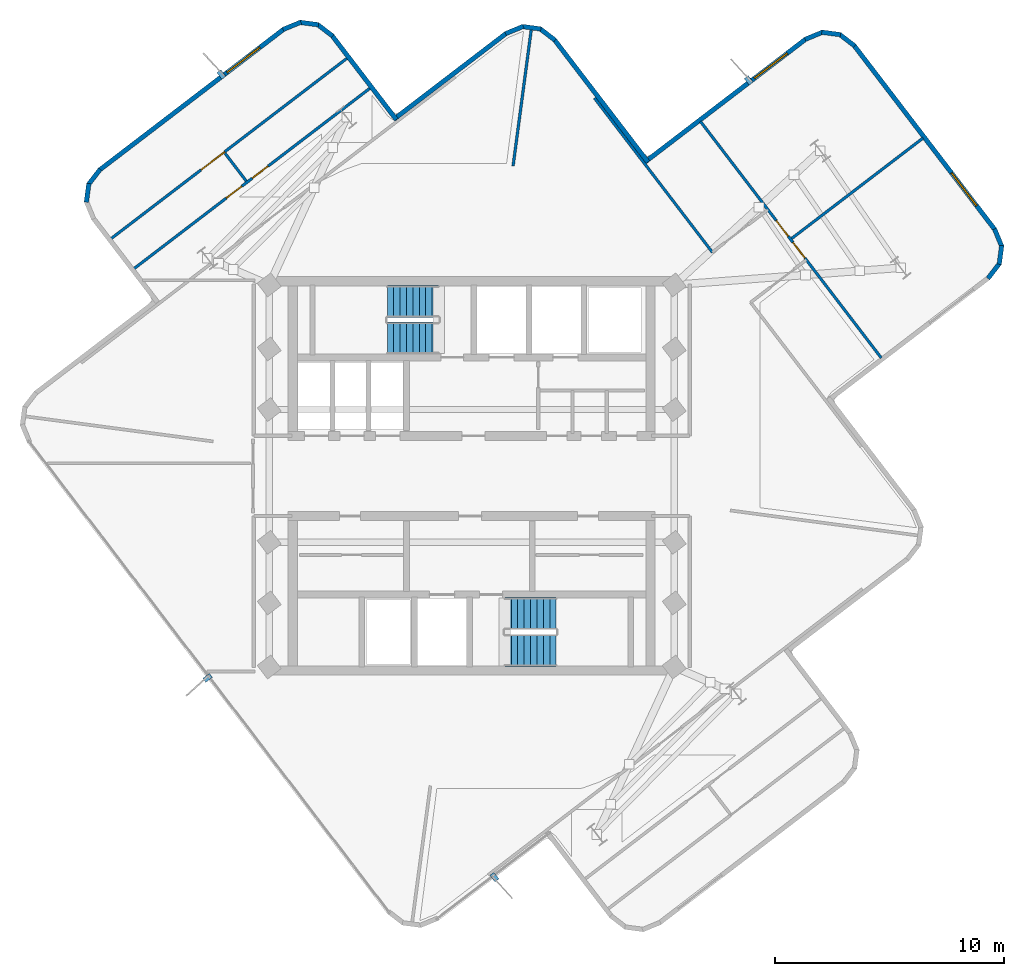
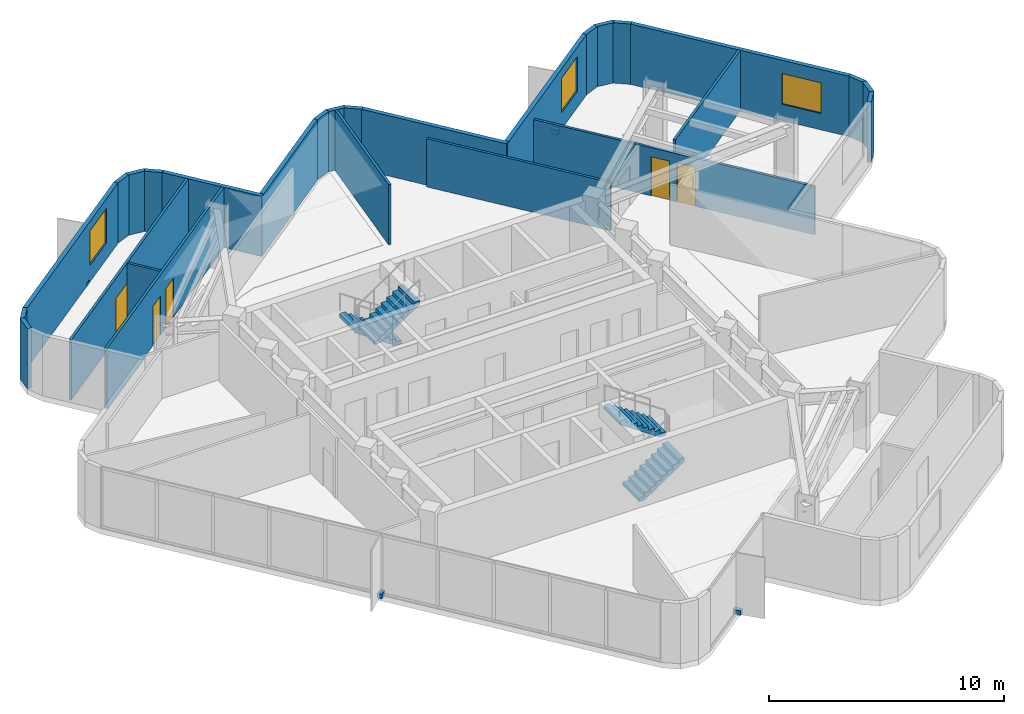
# One storey, part 7 of 9: 27 walls, 5 doors, 4 discrete accessories, 4 stair flights, 3 windows, 8 openings, 2 elements without a shape of their own.
"""IFC4 building model written with IfcOpenShell, lengths in metres."""

from ifc_helpers import new_model, si_unit, direction, frame, frame_2d, origin, origin_2d, place, context, subcontext, project, spatial, polyline, rectangle, outline, extrude, material, layer, layer_set, type_object, element, fill, aggregate, save


model = new_model("IFC4")

# Units and contexts
model_context = context("Model", 3, precision=1e-05, world=origin(), true_north=direction((0.0, 1.0)))
body_context = subcontext(model_context, "Body", "Model", "MODEL_VIEW")
ifc_project = project(units=[si_unit("LENGTHUNIT", "METRE"), si_unit("AREAUNIT", "SQUARE_METRE"), si_unit("VOLUMEUNIT", "CUBIC_METRE"), si_unit("PLANEANGLEUNIT", "RADIAN"), si_unit("MASSUNIT", "GRAM", prefix="KILO")], contexts=[model_context])

# Site, building, storey
site_placement = place(None, origin())
site = spatial("IfcSite", under=ifc_project, at=site_placement, CompositionType="ELEMENT")
building_placement = place(site_placement, origin())
building = spatial("IfcBuilding", under=site, at=building_placement, Name="Solmarez Civic Tower", CompositionType="ELEMENT")
storey_placement = place(building_placement, frame((0.0, 0.0, 229.139892578125)))
storey = spatial("IfcBuildingStorey", under=building, at=storey_placement, Name="L61", CompositionType="ELEMENT", Elevation=229.139892578125)

# Walls
ifc_material_1 = material(Name="Precast concrete C40/50", Category="concrete")
ifc_layer_1 = layer(ifc_material_1, 0.199951171875)
ifc_layer_set_1 = layer_set([ifc_layer_1], Name="Precast concrete C40/50")
wall_type_1 = type_object("IfcWallType", Name="WALL-EXT-200", PredefinedType="SOLIDWALL", material=ifc_layer_set_1)
wall_1_placement = place(storey_placement, frame((-16.840087890625, 11.9609375, 0.0), z_axis=(0.0, 0.0, 1.0), x_axis=(0.131059066172, 0.991374561492, 0.0)))
element("IfcWall", 1, at=wall_1_placement, inside=storey, type_object=wall_type_1, Name="L61 Exterior Precast Wall 15", PredefinedType="SOLIDWALL", context=body_context, shape_type="SweptSolid", body=[
    extrude(rectangle(XDim=0.8251953125, YDim=0.199951171875, at=frame_2d((0.41259765625, 0.0))), origin(), (0.0, 0.0, 1.0), 3.14013671875),
])
wall_2_placement = place(storey_placement, frame((-16.75, 12.73388671875, 0.0), z_axis=(0.0, 0.0, 1.0), x_axis=(0.609837482774, 0.792526494575, 0.0)))
element("IfcWall", 2, at=wall_2_placement, inside=storey, type_object=wall_type_1, Name="L61 Exterior Precast Wall 16", PredefinedType="SOLIDWALL", context=body_context, shape_type="SweptSolid", body=[
    extrude(rectangle(XDim=0.837890625, YDim=0.199951171875, at=frame_2d((0.4189453125, 0.0))), origin(), (0.0, 0.0, 1.0), 3.14013671875),
])

# Wall, opening, window
wall_3_placement = place(storey_placement, frame((-16.27392578125, 13.363037109375, 0.0), z_axis=(0.0, 0.0, 1.0), x_axis=(0.794458044917, 0.607319038781, 0.0)))
wall_3 = element("IfcWall", 3, at=wall_3_placement, inside=storey, type_object=wall_type_1, Name="L61 Exterior Precast Wall 17", PredefinedType="SOLIDWALL", context=body_context, shape_type="SweptSolid", body=[
    extrude(rectangle(XDim=10.1640625, YDim=0.199951171875, at=frame_2d((5.08203125, 0.0))), origin(), (0.0, 0.0, 1.0), 3.14013671875),
])
opening_1_placement = place(wall_3_placement, frame((7.028076171875, 0.0, 0.85009765625)))
opening_1 = element("IfcOpeningElement", 4, at=opening_1_placement, cuts=wall_3, Name="Opening W-08", PredefinedType="OPENING", context=body_context, shape_type="SweptSolid", body=[
    extrude(rectangle(XDim=1.800048828125, YDim=1.800048828125, at=frame_2d((0.89990234375, 0.89990234375))), frame((0.0, 0.10986328125, 0.0), z_axis=(0.0, -1.0, 0.0), x_axis=(1.0, 0.0, 0.0)), (0.0, 0.0, 1.0), 0.219970703125),
])
ifc_material_2 = material(Name="Solar Control Bronze-Tinted Insulating Glass", Category="glass")
window_type_1 = type_object("IfcWindowType", Name="WIN-1800X1800", PartitioningType="SINGLE_PANEL", PredefinedType="WINDOW", material=ifc_material_2)
window_1_placement = place(opening_1_placement, origin())
window_1 = element("IfcWindow", 5, at=window_1_placement, inside=storey, type_object=window_type_1, Name="L61 Exterior Facade Window 17", OverallHeight=1.800048828125, OverallWidth=1.800048828125, PartitioningType="SINGLE_PANEL", PredefinedType="WINDOW", context=body_context, shape_type="SweptSolid", body=[
    extrude(rectangle(XDim=1.800048828125, YDim=1.800048828125, at=frame_2d((0.89990234375, 0.89990234375))), frame((0.0, 0.030029296875, 0.0), z_axis=(0.0, -1.0, 0.0), x_axis=(1.0, 0.0, 0.0)), (0.0, 0.0, 1.0), 0.06005859375),
])
fill(opening_1, window_1)

# Walls
wall_4_placement = place(storey_placement, frame((-8.241943359375, 19.510986328125, 0.0), z_axis=(0.0, 0.0, 1.0), x_axis=(0.924091394431, 0.382171551451, 0.0)))
element("IfcWall", 6, at=wall_4_placement, inside=storey, type_object=wall_type_1, Name="L61 Exterior Precast Wall 18", PredefinedType="SOLIDWALL", context=body_context, shape_type="SweptSolid", body=[
    extrude(rectangle(XDim=0.83740234375, YDim=0.199951171875, at=frame_2d((0.418701171875, 0.0))), origin(), (0.0, 0.0, 1.0), 3.14013671875),
])
wall_5_placement = place(storey_placement, frame((-7.51611328125, 19.823974609375, 0.0), z_axis=(0.0, 0.0, 1.0), x_axis=(0.991412958994, -0.130768286444, 0.0)))
element("IfcWall", 7, at=wall_5_placement, inside=storey, type_object=wall_type_1, Name="L61 Exterior Precast Wall 19", PredefinedType="SOLIDWALL", context=body_context, shape_type="SweptSolid", body=[
    extrude(rectangle(XDim=0.8251953125, YDim=0.199951171875, at=frame_2d((0.41259765625, 0.0))), origin(), (0.0, 0.0, 1.0), 3.14013671875),
])
wall_6_placement = place(storey_placement, frame((-6.742919921875, 19.73388671875, 0.0), z_axis=(0.0, 0.0, 1.0), x_axis=(0.792959338773, -0.609274558022, 0.0)))
element("IfcWall", 8, at=wall_6_placement, inside=storey, type_object=wall_type_1, Name="L61 Exterior Precast Wall 20", PredefinedType="SOLIDWALL", context=body_context, shape_type="SweptSolid", body=[
    extrude(rectangle(XDim=0.838623046875, YDim=0.199951171875, at=frame_2d((0.41943359375, 0.0))), origin(), (0.0, 0.0, 1.0), 3.14013671875),
])
wall_7_placement = place(storey_placement, frame((-6.113037109375, 19.258056640625, 0.0), z_axis=(0.0, 0.0, 1.0), x_axis=(0.607327150699, -0.794451843741, 0.0)))
element("IfcWall", 9, at=wall_7_placement, inside=storey, type_object=wall_type_1, Name="L61 Exterior Precast Wall 21", PredefinedType="SOLIDWALL", context=body_context, shape_type="SweptSolid", body=[
    extrude(rectangle(XDim=4.643310546875, YDim=0.199951171875, at=frame_2d((2.32177734375, 0.0))), origin(), (0.0, 0.0, 1.0), 3.14013671875),
])
wall_8_placement = place(storey_placement, frame((-3.406005859375, 15.583984375, 0.0), z_axis=(0.0, 0.0, 1.0), x_axis=(0.794329901805, 0.60748663121, 0.0)))
element("IfcWall", 10, at=wall_8_placement, inside=storey, type_object=wall_type_1, Name="L61 Exterior Precast Wall 24", PredefinedType="SOLIDWALL", context=body_context, shape_type="SweptSolid", body=[
    extrude(rectangle(XDim=6.20263671875, YDim=0.199951171875, at=frame_2d((3.101318359375, 0.0))), origin(), (0.0, 0.0, 1.0), 3.14013671875),
])
wall_9_placement = place(storey_placement, frame((1.47802734375, 19.326904296875, 0.0), z_axis=(0.0, 0.0, 1.0), x_axis=(0.924091394431, 0.382171551451, 0.0)))
element("IfcWall", 11, at=wall_9_placement, inside=storey, type_object=wall_type_1, Name="L61 Exterior Precast Wall 25", PredefinedType="SOLIDWALL", context=body_context, shape_type="SweptSolid", body=[
    extrude(rectangle(XDim=0.83740234375, YDim=0.199951171875, at=frame_2d((0.418701171875, 0.0))), origin(), (0.0, 0.0, 1.0), 3.14013671875),
])
wall_10_placement = place(storey_placement, frame((2.2041015625, 19.639892578125, 0.0), z_axis=(0.0, 0.0, 1.0), x_axis=(0.99140789753, -0.130806653943, 0.0)))
element("IfcWall", 12, at=wall_10_placement, inside=storey, type_object=wall_type_1, Name="L61 Exterior Precast Wall 26", PredefinedType="SOLIDWALL", context=body_context, shape_type="SweptSolid", body=[
    extrude(rectangle(XDim=0.824951171875, YDim=0.199951171875, at=frame_2d((0.41259765625, 0.0))), origin(), (0.0, 0.0, 1.0), 3.14013671875),
])
wall_11_placement = place(storey_placement, frame((2.97705078125, 19.550048828125, 0.0), z_axis=(0.0, 0.0, 1.0), x_axis=(0.792959338773, -0.609274558022, 0.0)))
element("IfcWall", 13, at=wall_11_placement, inside=storey, type_object=wall_type_1, Name="L61 Exterior Precast Wall 27", PredefinedType="SOLIDWALL", context=body_context, shape_type="SweptSolid", body=[
    extrude(rectangle(XDim=0.838623046875, YDim=0.199951171875, at=frame_2d((0.41943359375, 0.0))), origin(), (0.0, 0.0, 1.0), 3.14013671875),
])
wall_12_placement = place(storey_placement, frame((3.60693359375, 19.073974609375, 0.0), z_axis=(0.0, 0.0, 1.0), x_axis=(0.607308983466, -0.794465731546, 0.0)))
element("IfcWall", 14, at=wall_12_placement, inside=storey, type_object=wall_type_1, Name="L61 Exterior Precast Wall 28", PredefinedType="SOLIDWALL", context=body_context, shape_type="SweptSolid", body=[
    extrude(rectangle(XDim=6.742919921875, YDim=0.199951171875, at=frame_2d((3.37158203125, 0.0))), origin(), (0.0, 0.0, 1.0), 3.14013671875),
])

# Wall, opening, window
wall_13_placement = place(storey_placement, frame((7.589111328125, 13.73193359375, 0.0), z_axis=(0.0, 0.0, 1.0), x_axis=(0.794365670067, 0.607439858932, 0.0)))
wall_13 = element("IfcWall", 15, at=wall_13_placement, inside=storey, type_object=wall_type_1, Name="L61 Exterior Precast Wall 31", PredefinedType="SOLIDWALL", context=body_context, shape_type="SweptSolid", body=[
    extrude(rectangle(XDim=8.84228515625, YDim=0.199951171875, at=frame_2d((4.421142578125, 0.0))), origin(), (0.0, 0.0, 1.0), 3.14013671875),
])
opening_2_placement = place(wall_13_placement, frame((5.9970703125, 0.0, 0.85009765625)))
opening_2 = element("IfcOpeningElement", 16, at=opening_2_placement, cuts=wall_13, Name="Opening W-08", PredefinedType="OPENING", context=body_context, shape_type="SweptSolid", body=[
    extrude(rectangle(XDim=1.800048828125, YDim=1.800048828125, at=frame_2d((0.89990234375, 0.89990234375))), frame((0.0, 0.10986328125, 0.0), z_axis=(0.0, -1.0, 0.0), x_axis=(1.0, 0.0, 0.0)), (0.0, 0.0, 1.0), 0.219970703125),
])
window_2_placement = place(opening_2_placement, origin())
window_2 = element("IfcWindow", 17, at=window_2_placement, inside=storey, type_object=window_type_1, Name="L61 Exterior Facade Window 31", OverallHeight=1.800048828125, OverallWidth=1.800048828125, PartitioningType="SINGLE_PANEL", PredefinedType="WINDOW", context=body_context, shape_type="SweptSolid", body=[
    extrude(rectangle(XDim=1.800048828125, YDim=1.800048828125, at=frame_2d((0.89990234375, 0.89990234375))), frame((0.0, 0.030029296875, 0.0), z_axis=(0.0, -1.0, 0.0), x_axis=(1.0, 0.0, 0.0)), (0.0, 0.0, 1.0), 0.06005859375),
])
fill(opening_2, window_2)

# Walls
wall_14_placement = place(storey_placement, frame((14.570068359375, 19.077880859375, 0.0), z_axis=(0.0, 0.0, 1.0), x_axis=(0.92426142649, 0.38176015442, 0.0)))
element("IfcWall", 18, at=wall_14_placement, inside=storey, type_object=wall_type_1, Name="L61 Exterior Precast Wall 32", PredefinedType="SOLIDWALL", context=body_context, shape_type="SweptSolid", body=[
    extrude(rectangle(XDim=0.83837890625, YDim=0.199951171875, at=frame_2d((0.419189453125, 0.0))), origin(), (0.0, 0.0, 1.0), 3.14013671875),
])
wall_15_placement = place(storey_placement, frame((15.297119140625, 19.39111328125, 0.0), z_axis=(0.0, 0.0, 1.0), x_axis=(0.991369477691, -0.131097516005, 0.0)))
element("IfcWall", 19, at=wall_15_placement, inside=storey, type_object=wall_type_1, Name="L61 Exterior Precast Wall 33", PredefinedType="SOLIDWALL", context=body_context, shape_type="SweptSolid", body=[
    extrude(rectangle(XDim=0.824951171875, YDim=0.199951171875, at=frame_2d((0.41259765625, 0.0))), origin(), (0.0, 0.0, 1.0), 3.14013671875),
])
wall_16_placement = place(storey_placement, frame((16.070068359375, 19.301025390625, 0.0), z_axis=(0.0, 0.0, 1.0), x_axis=(0.792959338773, -0.609274558022, 0.0)))
element("IfcWall", 20, at=wall_16_placement, inside=storey, type_object=wall_type_1, Name="L61 Exterior Precast Wall 34", PredefinedType="SOLIDWALL", context=body_context, shape_type="SweptSolid", body=[
    extrude(rectangle(XDim=0.838623046875, YDim=0.199951171875, at=frame_2d((0.41943359375, 0.0))), origin(), (0.0, 0.0, 1.0), 3.14013671875),
])

# Wall, opening, window
wall_17_placement = place(storey_placement, frame((16.699951171875, 18.824951171875, 0.0), z_axis=(0.0, 0.0, 1.0), x_axis=(0.607273554345, -0.794492813179, 0.0)))
wall_17 = element("IfcWall", 21, at=wall_17_placement, inside=storey, type_object=wall_type_1, Name="L61 Exterior Precast Wall 35", PredefinedType="SOLIDWALL", context=body_context, shape_type="SweptSolid", body=[
    extrude(rectangle(XDim=10.16357421875, YDim=0.199951171875, at=frame_2d((5.081787109375, 0.0))), origin(), (0.0, 0.0, 1.0), 3.14013671875),
])
opening_3_placement = place(wall_17_placement, frame((7.028076171875, 0.0, 0.85009765625)))
opening_3 = element("IfcOpeningElement", 22, at=opening_3_placement, cuts=wall_17, Name="Opening W-12", PredefinedType="OPENING", context=body_context, shape_type="SweptSolid", body=[
    extrude(rectangle(XDim=1.800048828125, YDim=1.60009765625, at=frame_2d((0.89990234375, 0.800048828125))), frame((0.0, 0.10986328125, 0.0), z_axis=(0.0, -1.0, 0.0), x_axis=(1.0, 0.0, 0.0)), (0.0, 0.0, 1.0), 0.219970703125),
])
window_type_2 = type_object("IfcWindowType", Name="WIN-1800X1600", PartitioningType="SINGLE_PANEL", PredefinedType="WINDOW", material=ifc_material_2)
window_3_placement = place(opening_3_placement, origin())
window_3 = element("IfcWindow", 23, at=window_3_placement, inside=storey, type_object=window_type_2, Name="L61 Exterior Facade Window 35", OverallHeight=1.60009765625, OverallWidth=1.800048828125, PartitioningType="SINGLE_PANEL", PredefinedType="WINDOW", context=body_context, shape_type="SweptSolid", body=[
    extrude(rectangle(XDim=1.800048828125, YDim=1.60009765625, at=frame_2d((0.89990234375, 0.800048828125))), frame((0.0, 0.030029296875, 0.0), z_axis=(0.0, -1.0, 0.0), x_axis=(1.0, 0.0, 0.0)), (0.0, 0.0, 1.0), 0.06005859375),
])
fill(opening_3, window_3)

# Walls
wall_18_placement = place(storey_placement, frame((22.846923828125, 10.79296875, 0.0), z_axis=(0.0, 0.0, 1.0), x_axis=(0.383166624649, -0.923679239647, 0.0)))
element("IfcWall", 24, at=wall_18_placement, inside=storey, type_object=wall_type_1, Name="L61 Exterior Precast Wall 36", PredefinedType="SOLIDWALL", context=body_context, shape_type="SweptSolid", body=[
    extrude(rectangle(XDim=0.837890625, YDim=0.199951171875, at=frame_2d((0.4189453125, 0.0))), origin(), (0.0, 0.0, 1.0), 3.14013671875),
])
wall_19_placement = place(storey_placement, frame((23.160888671875, 10.06689453125, 0.0), z_axis=(0.0, 0.0, 1.0), x_axis=(-0.131969898809, -0.991253724234, 0.0)))
element("IfcWall", 25, at=wall_19_placement, inside=storey, type_object=wall_type_1, Name="L61 Exterior Precast Wall 37", PredefinedType="SOLIDWALL", context=body_context, shape_type="SweptSolid", body=[
    extrude(rectangle(XDim=0.8251953125, YDim=0.199951171875, at=frame_2d((0.41259765625, 0.0))), origin(), (0.0, 0.0, 1.0), 3.14013671875),
])
wall_20_placement = place(storey_placement, frame((23.070068359375, 9.2939453125, 0.0), z_axis=(0.0, 0.0, 1.0), x_axis=(-0.609274558022, -0.792959338773, 0.0)))
element("IfcWall", 26, at=wall_20_placement, inside=storey, type_object=wall_type_1, Name="L61 Exterior Precast Wall 38", PredefinedType="SOLIDWALL", context=body_context, shape_type="SweptSolid", body=[
    extrude(rectangle(XDim=0.838623046875, YDim=0.199951171875, at=frame_2d((0.41943359375, 0.0))), origin(), (0.0, 0.0, 1.0), 3.14013671875),
])
ifc_material_3 = material(Name="Gypsum Board Acoustic Steel-Stud Partition", Category="steel")
ifc_layer_2 = layer(ifc_material_3, 0.1201171875)
ifc_layer_set_2 = layer_set([ifc_layer_2], Name="Gypsum Board Acoustic Steel-Stud Partition")
wall_type_2 = type_object("IfcWallType", Name="WALL-INT-PART-120", PredefinedType="PARTITIONING", material=ifc_layer_set_2)
wall_21_placement = place(storey_placement, frame((1.806884765625, 13.5400390625, 0.0), z_axis=(0.0, 0.0, 1.0), x_axis=(0.132245865303, 0.991216944523, 0.0)))
element("IfcWall", 27, at=wall_21_placement, inside=storey, type_object=wall_type_2, Name="L61 Interior Partition PT-L61-QDIV-1", PredefinedType="PARTITIONING", context=body_context, shape_type="SweptSolid", body=[
    extrude(rectangle(XDim=6.034912109375, YDim=0.1201171875, at=frame_2d((3.017578125, 0.0))), origin(), (0.0, 0.0, 1.0), 3.14013671875),
])
wall_22_placement = place(storey_placement, frame((10.52001953125, 9.76806640625, 0.0), z_axis=(0.0, 0.0, 1.0), x_axis=(-0.607441568234, 0.794364362985, 0.0)))
element("IfcWall", 28, at=wall_22_placement, inside=storey, type_object=wall_type_2, Name="L61 Interior Partition PT-L61-E-EFL", PredefinedType="PARTITIONING", context=body_context, shape_type="SweptSolid", body=[
    extrude(rectangle(XDim=8.48974609375, YDim=0.1201171875, at=frame_2d((4.244873046875, 0.0))), origin(), (0.0, 0.0, 1.0), 2.510009765625),
])
wall_23_placement = place(storey_placement, frame((13.98291015625, 10.3759765625, 0.0), z_axis=(0.0, 0.0, 1.0), x_axis=(0.794405792036, 0.607387386747, 0.0)))
element("IfcWall", 29, at=wall_23_placement, inside=storey, type_object=wall_type_2, Name="L61 Interior Partition PT-L61-E-TM", PredefinedType="PARTITIONING", context=body_context, shape_type="SweptSolid", body=[
    extrude(rectangle(XDim=7.224365234375, YDim=0.1201171875, at=frame_2d((3.6123046875, 0.0))), origin(), (0.0, 0.0, 1.0), 3.14013671875),
])

# Wall, openings, doors
wall_24_placement = place(storey_placement, frame((9.99609375, 15.490966796875, 0.0), z_axis=(0.0, 0.0, 1.0), x_axis=(0.607384628916, -0.794407900613, 0.0)))
wall_24 = element("IfcWall", 30, at=wall_24_placement, inside=storey, type_object=wall_type_2, Name="L61 Interior Partition PT-L61-E-END", PredefinedType="PARTITIONING", context=body_context, shape_type="SweptSolid", body=[
    extrude(rectangle(XDim=13.009521484375, YDim=0.1201171875, at=frame_2d((6.5048828125, 0.0))), origin(), (0.0, 0.0, 1.0), 2.510009765625),
])
opening_4_placement = place(wall_24_placement, frame((6.655029296875, 0.0, 0.0)))
opening_4 = element("IfcOpeningElement", 31, at=opening_4_placement, cuts=wall_24, Name="Opening D-14", PredefinedType="OPENING", context=body_context, shape_type="SweptSolid", body=[
    extrude(rectangle(XDim=0.860107421875, YDim=2.0400390625, at=frame_2d((0.43017578125, 1.02001953125))), frame((0.0, 0.070068359375, 0.0), z_axis=(0.0, -1.0, 0.0), x_axis=(1.0, 0.0, 0.0)), (0.0, 0.0, 1.0), 0.14013671875),
])
opening_5_placement = place(wall_24_placement, frame((5.455078125, 0.0, 0.0)))
opening_5 = element("IfcOpeningElement", 32, at=opening_5_placement, cuts=wall_24, Name="Opening D-14", PredefinedType="OPENING", context=body_context, shape_type="SweptSolid", body=[
    extrude(rectangle(XDim=0.860107421875, YDim=2.0400390625, at=frame_2d((0.43017578125, 1.02001953125))), frame((0.0, 0.070068359375, 0.0), z_axis=(0.0, -1.0, 0.0), x_axis=(1.0, 0.0, 0.0)), (0.0, 0.0, 1.0), 0.14013671875),
])
ifc_material_4 = material(Name="Timber Storage and Pantry Door", Category="wood")
door_type_1 = type_object("IfcDoorType", Name="DOOR-INT-850", OperationType="NOTDEFINED", PredefinedType="DOOR", material=ifc_material_4)
door_1_placement = place(opening_4_placement, origin())
door_1 = element("IfcDoor", 33, at=door_1_placement, inside=storey, type_object=door_type_1, Name="L61 Policy Administration Office Sixth East Door", OperationType="SINGLE_SWING_RIGHT", OverallHeight=2.0400390625, OverallWidth=0.860107421875, PredefinedType="DOOR", context=body_context, shape_type="SweptSolid", body=[
    extrude(rectangle(XDim=0.860107421875, YDim=2.0400390625, at=frame_2d((0.43017578125, 1.02001953125))), frame((0.0, 0.02490234375, 0.0), z_axis=(0.0, -1.0, 0.0), x_axis=(1.0, 0.0, 0.0)), (0.0, 0.0, 1.0), 0.050048828125),
])
fill(opening_4, door_1)
door_2_placement = place(opening_5_placement, origin())
door_2 = element("IfcDoor", 34, at=door_2_placement, inside=storey, type_object=door_type_1, Name="L61 Legal Study Room Fifth East Door", OperationType="SINGLE_SWING_LEFT", OverallHeight=2.0400390625, OverallWidth=0.860107421875, PredefinedType="DOOR", context=body_context, shape_type="SweptSolid", body=[
    extrude(rectangle(XDim=0.860107421875, YDim=2.0400390625, at=frame_2d((0.43017578125, 1.02001953125))), frame((0.0, 0.02490234375, 0.0), z_axis=(0.0, -1.0, 0.0), x_axis=(1.0, 0.0, 0.0)), (0.0, 0.0, 1.0), 0.050048828125),
])
fill(opening_5, door_2)

# Wall
wall_25_placement = place(storey_placement, frame((-9.85205078125, 12.885009765625, 0.0), z_axis=(0.0, 0.0, 1.0), x_axis=(-0.607047349334, 0.794665662821, 0.0)))
element("IfcWall", 35, at=wall_25_placement, inside=storey, type_object=wall_type_2, Name="L61 Interior Partition PT-L61-N-MM", PredefinedType="PARTITIONING", context=body_context, shape_type="SweptSolid", body=[
    extrude(rectangle(XDim=1.5302734375, YDim=0.1201171875, at=frame_2d((0.76513671875, 0.0))), origin(), (0.0, 0.0, 1.0), 3.14013671875),
])

# Wall, openings, doors
wall_26_placement = place(storey_placement, frame((-4.43310546875, 16.951904296875, 0.0), z_axis=(0.0, 0.0, 1.0), x_axis=(-0.794407900613, -0.607384628916, 0.0)))
wall_26 = element("IfcWall", 36, at=wall_26_placement, inside=storey, type_object=wall_type_2, Name="L61 Interior Partition PT-L61-N-S1", PredefinedType="PARTITIONING", context=body_context, shape_type="SweptSolid", body=[
    extrude(rectangle(XDim=13.009521484375, YDim=0.1201171875, at=frame_2d((6.5048828125, 0.0))), origin(), (0.0, 0.0, 1.0), 3.14013671875),
])
opening_6_placement = place(wall_26_placement, frame((5.625, 0.0, 0.0)))
opening_6 = element("IfcOpeningElement", 37, at=opening_6_placement, cuts=wall_26, Name="Opening D-14", PredefinedType="OPENING", context=body_context, shape_type="SweptSolid", body=[
    extrude(rectangle(XDim=0.860107421875, YDim=2.0400390625, at=frame_2d((0.43017578125, 1.02001953125))), frame((0.0, 0.070068359375, 0.0), z_axis=(0.0, -1.0, 0.0), x_axis=(1.0, 0.0, 0.0)), (0.0, 0.0, 1.0), 0.14013671875),
])
opening_7_placement = place(wall_26_placement, frame((7.06494140625, 0.0, 0.0)))
opening_7 = element("IfcOpeningElement", 38, at=opening_7_placement, cuts=wall_26, Name="Opening D-14", PredefinedType="OPENING", context=body_context, shape_type="SweptSolid", body=[
    extrude(rectangle(XDim=0.860107421875, YDim=2.0400390625, at=frame_2d((0.43017578125, 1.02001953125))), frame((0.0, 0.070068359375, 0.0), z_axis=(0.0, -1.0, 0.0), x_axis=(1.0, 0.0, 0.0)), (0.0, 0.0, 1.0), 0.14013671875),
])
door_3_placement = place(opening_6_placement, origin())
door_3 = element("IfcDoor", 39, at=door_3_placement, inside=storey, type_object=door_type_1, Name="L61 Policy Administration Office Third North Door", OperationType="SINGLE_SWING_RIGHT", OverallHeight=2.0400390625, OverallWidth=0.860107421875, PredefinedType="DOOR", context=body_context, shape_type="SweptSolid", body=[
    extrude(rectangle(XDim=0.860107421875, YDim=2.0400390625, at=frame_2d((0.43017578125, 1.02001953125))), frame((0.0, 0.02490234375, 0.0), z_axis=(0.0, -1.0, 0.0), x_axis=(1.0, 0.0, 0.0)), (0.0, 0.0, 1.0), 0.050048828125),
])
fill(opening_6, door_3)
door_4_placement = place(opening_7_placement, origin())
door_4 = element("IfcDoor", 40, at=door_4_placement, inside=storey, type_object=door_type_1, Name="L61 Legal Study Room Second North Door", OperationType="SINGLE_SWING_LEFT", OverallHeight=2.0400390625, OverallWidth=0.860107421875, PredefinedType="DOOR", context=body_context, shape_type="SweptSolid", body=[
    extrude(rectangle(XDim=0.860107421875, YDim=2.0400390625, at=frame_2d((0.43017578125, 1.02001953125))), frame((0.0, 0.02490234375, 0.0), z_axis=(0.0, -1.0, 0.0), x_axis=(1.0, 0.0, 0.0)), (0.0, 0.0, 1.0), 0.050048828125),
])
fill(opening_7, door_4)

# Wall, opening, door
wall_27_placement = place(storey_placement, frame((-15.77001953125, 10.361083984375, 0.0), z_axis=(0.0, 0.0, 1.0), x_axis=(0.794407900613, 0.607384628916, 0.0)))
wall_27 = element("IfcWall", 41, at=wall_27_placement, inside=storey, type_object=wall_type_2, Name="L61 Interior Partition PT-L61-N-S2", PredefinedType="PARTITIONING", context=body_context, shape_type="SweptSolid", body=[
    extrude(rectangle(XDim=13.009521484375, YDim=0.1201171875, at=frame_2d((6.5048828125, 0.0))), origin(), (0.0, 0.0, 1.0), 3.14013671875),
])
opening_8_placement = place(wall_27_placement, frame((4.9599609375, 0.0, 0.0)))
opening_8 = element("IfcOpeningElement", 42, at=opening_8_placement, cuts=wall_27, Name="Opening D-15", PredefinedType="OPENING", context=body_context, shape_type="SweptSolid", body=[
    extrude(rectangle(XDim=1.300048828125, YDim=2.10009765625, at=frame_2d((0.64990234375, 1.050048828125))), frame((0.0, 0.070068359375, 0.0), z_axis=(0.0, -1.0, 0.0), x_axis=(1.0, 0.0, 0.0)), (0.0, 0.0, 1.0), 0.14013671875),
])
ifc_material_5 = material(Name="Tribunal Hearing Conference Door", Category="wood")
door_type_2 = type_object("IfcDoorType", Name="DOOR-INT-1300", OperationType="NOTDEFINED", PredefinedType="DOOR", material=ifc_material_5)
door_5_placement = place(opening_8_placement, origin())
door_5 = element("IfcDoor", 43, at=door_5_placement, inside=storey, type_object=door_type_2, Name="L61 Municipal Law Library Fourth North Door", OperationType="SINGLE_SWING_LEFT", OverallHeight=2.10009765625, OverallWidth=1.300048828125, PredefinedType="DOOR", context=body_context, shape_type="SweptSolid", body=[
    extrude(rectangle(XDim=1.300048828125, YDim=2.10009765625, at=frame_2d((0.64990234375, 1.050048828125))), frame((0.0, 0.02490234375, 0.0), z_axis=(0.0, -1.0, 0.0), x_axis=(1.0, 0.0, 0.0)), (0.0, 0.0, 1.0), 0.050048828125),
])
fill(opening_8, door_5)

# Stair, stair flights
ifc_material_6 = material(Name="Concrete C50/60", Category="concrete")
stair_type = type_object("IfcStairType", Name="STAIR-DOGLEG-140W-18R-1900", PredefinedType="HALF_TURN_STAIR", material=ifc_material_6)
stair_1_placement = place(storey_placement, origin())
stair_1 = element("IfcStair", 44, at=stair_1_placement, inside=storey, type_object=stair_type, Name="L61 North Core Protected Exit Stair ST-1", PredefinedType="HALF_TURN_STAIR")
stair_flight_type = type_object("IfcStairFlightType", Name="FLIGHT-DOGLEG-140W-9R-1900", PredefinedType="STRAIGHT", material=ifc_material_6)
stair_flight_1_placement = place(storey_placement, frame((-1.449951171875, 7.6201171875, 0.0), z_axis=(0.0, 0.0, 1.0), x_axis=(-1.0, 0.0, 0.0)))
stair_flight_1 = element("IfcStairFlight", 45, at=stair_flight_1_placement, type_object=stair_flight_type, Name="ST-1 flight 1", NumberOfRisers=9, NumberOfTreads=8, PredefinedType="STRAIGHT", RiserHeight=0.19, TreadLength=0.28, context=body_context, shape_type="SweptSolid", body=[
    extrude(outline(polyline([(0.0, 0.0), (0.0, 0.18994140625), (0.280029296875, 0.18994140625), (0.280029296875, 0.3798828125), (0.56005859375, 0.3798828125), (0.56005859375, 0.570068359375), (0.840087890625, 0.570068359375), (0.840087890625, 0.760009765625), (1.1201171875, 0.760009765625), (1.1201171875, 0.949951171875), (1.39990234375, 0.949951171875), (1.39990234375, 1.139892578125), (1.679931640625, 1.139892578125), (1.679931640625, 1.330078125), (1.9599609375, 1.330078125), (1.9599609375, 1.52001953125), (2.239990234375, 1.52001953125), (2.239990234375, 1.7099609375), (2.239990234375, 1.32666015625), (0.284912109375, 0.0), (0.0, 0.0)])), frame((0.0, 0.699951171875, 0.0), z_axis=(0.0, -1.0, 0.0), x_axis=(1.0, 0.0, 0.0)), (0.0, 0.0, 1.0), 1.39990234375),
])
stair_flight_2_placement = place(storey_placement, frame((-3.68994140625, 6.02001953125, 1.710205078125), z_axis=(0.0, 0.0, 1.0), x_axis=(1.0, 0.0, 0.0)))
stair_flight_2 = element("IfcStairFlight", 46, at=stair_flight_2_placement, type_object=stair_flight_type, Name="ST-1 flight 2", NumberOfRisers=9, NumberOfTreads=8, PredefinedType="STRAIGHT", RiserHeight=0.19, TreadLength=0.28, context=body_context, shape_type="SweptSolid", body=[
    extrude(outline(polyline([(0.0, 0.0), (0.0, 0.18994140625), (0.280029296875, 0.18994140625), (0.280029296875, 0.3798828125), (0.56005859375, 0.3798828125), (0.56005859375, 0.570068359375), (0.840087890625, 0.570068359375), (0.840087890625, 0.760009765625), (1.1201171875, 0.760009765625), (1.1201171875, 0.949951171875), (1.39990234375, 0.949951171875), (1.39990234375, 1.139892578125), (1.679931640625, 1.139892578125), (1.679931640625, 1.330078125), (1.9599609375, 1.330078125), (1.9599609375, 1.52001953125), (2.239990234375, 1.52001953125), (2.239990234375, 1.7099609375), (2.239990234375, 1.32666015625), (0.284912109375, 0.0), (0.0, 0.0)])), frame((0.0, 0.699951171875, 0.0), z_axis=(0.0, -1.0, 0.0), x_axis=(1.0, 0.0, 0.0)), (0.0, 0.0, 1.0), 1.39990234375),
])
aggregate(stair_1, [stair_flight_1, stair_flight_2])

stair_2_placement = place(storey_placement, origin())
stair_2 = element("IfcStair", 47, at=stair_2_placement, inside=storey, type_object=stair_type, Name="L61 South Core Protected Exit Stair ST-2", PredefinedType="HALF_TURN_STAIR")
stair_flight_3_placement = place(storey_placement, frame((1.449951171875, -7.6201171875, 0.0), z_axis=(0.0, 0.0, 1.0), x_axis=(1.0, 0.0, 0.0)))
stair_flight_3 = element("IfcStairFlight", 48, at=stair_flight_3_placement, type_object=stair_flight_type, Name="ST-2 flight 1", NumberOfRisers=9, NumberOfTreads=8, PredefinedType="STRAIGHT", RiserHeight=0.19, TreadLength=0.28, context=body_context, shape_type="SweptSolid", body=[
    extrude(outline(polyline([(0.0, 0.0), (0.0, 0.18994140625), (0.280029296875, 0.18994140625), (0.280029296875, 0.3798828125), (0.56005859375, 0.3798828125), (0.56005859375, 0.570068359375), (0.840087890625, 0.570068359375), (0.840087890625, 0.760009765625), (1.1201171875, 0.760009765625), (1.1201171875, 0.949951171875), (1.39990234375, 0.949951171875), (1.39990234375, 1.139892578125), (1.679931640625, 1.139892578125), (1.679931640625, 1.330078125), (1.9599609375, 1.330078125), (1.9599609375, 1.52001953125), (2.239990234375, 1.52001953125), (2.239990234375, 1.7099609375), (2.239990234375, 1.32666015625), (0.284912109375, 0.0), (0.0, 0.0)])), frame((0.0, 0.699951171875, 0.0), z_axis=(0.0, -1.0, 0.0), x_axis=(1.0, 0.0, 0.0)), (0.0, 0.0, 1.0), 1.39990234375),
])
stair_flight_4_placement = place(storey_placement, frame((3.68994140625, -6.02001953125, 1.710205078125), z_axis=(0.0, 0.0, 1.0), x_axis=(-1.0, 0.0, 0.0)))
stair_flight_4 = element("IfcStairFlight", 49, at=stair_flight_4_placement, type_object=stair_flight_type, Name="ST-2 flight 2", NumberOfRisers=9, NumberOfTreads=8, PredefinedType="STRAIGHT", RiserHeight=0.19, TreadLength=0.28, context=body_context, shape_type="SweptSolid", body=[
    extrude(outline(polyline([(0.0, 0.0), (0.0, 0.18994140625), (0.280029296875, 0.18994140625), (0.280029296875, 0.3798828125), (0.56005859375, 0.3798828125), (0.56005859375, 0.570068359375), (0.840087890625, 0.570068359375), (0.840087890625, 0.760009765625), (1.1201171875, 0.760009765625), (1.1201171875, 0.949951171875), (1.39990234375, 0.949951171875), (1.39990234375, 1.139892578125), (1.679931640625, 1.139892578125), (1.679931640625, 1.330078125), (1.9599609375, 1.330078125), (1.9599609375, 1.52001953125), (2.239990234375, 1.52001953125), (2.239990234375, 1.7099609375), (2.239990234375, 1.32666015625), (0.284912109375, 0.0), (0.0, 0.0)])), frame((0.0, 0.699951171875, 0.0), z_axis=(0.0, -1.0, 0.0), x_axis=(1.0, 0.0, 0.0)), (0.0, 0.0, 1.0), 1.39990234375),
])
aggregate(stair_2, [stair_flight_3, stair_flight_4])

# Discrete accessories
ifc_material_7 = material(Name="Stainless Steel Grade 1.4401", Category="steel")
discrete_accessory_type = type_object("IfcDiscreteAccessoryType", Name="BRACKET-SS-FIN", PredefinedType="BRACKET", material=ifc_material_7)
for number, where, z_axis, x_axis, name in (
    (50, (0.990966796875, -17.531982421875, -0.06005859375), (0.0, 0.0, 1.0), (0.607504896558, -0.794315932522, 0.0), "L61 Stainless Fin Support Bracket FIN-L61-01"),
    (51, (-11.54296875, -8.824951171875, -0.06005859375), (0.0, 0.0, 1.0), (-0.794423649209, -0.607364030527, 0.0), "L61 Stainless Fin Support Bracket FIN-L61-02"),
    (52, (-10.93798828125, 17.54296875, -0.06005859375), (0.0, 0.0, 1.0), (-0.607362026974, 0.794425180989, 0.0), "L61 Stainless Fin Support Bracket FIN-L61-03"),
    (53, (12.10595703125, 17.287109375, -0.06005859375), (0.0, 0.0, 1.0), (-0.607445858996, 0.79436108187, 0.0), "L61 Stainless Fin Support Bracket FIN-L61-04"),
):
    element("IfcDiscreteAccessory", number, at=place(storey_placement, frame(where, z_axis=z_axis, x_axis=x_axis)), inside=storey, type_object=discrete_accessory_type, Name=name, PredefinedType="BRACKET", context=body_context, shape_type="SweptSolid", body=[
        extrude(rectangle(XDim=0.360107421875, YDim=0.219970703125, at=origin_2d()), origin(), (0.0, 0.0, 1.0), 0.239990234375),
    ])

save(model, "model.ifc")
